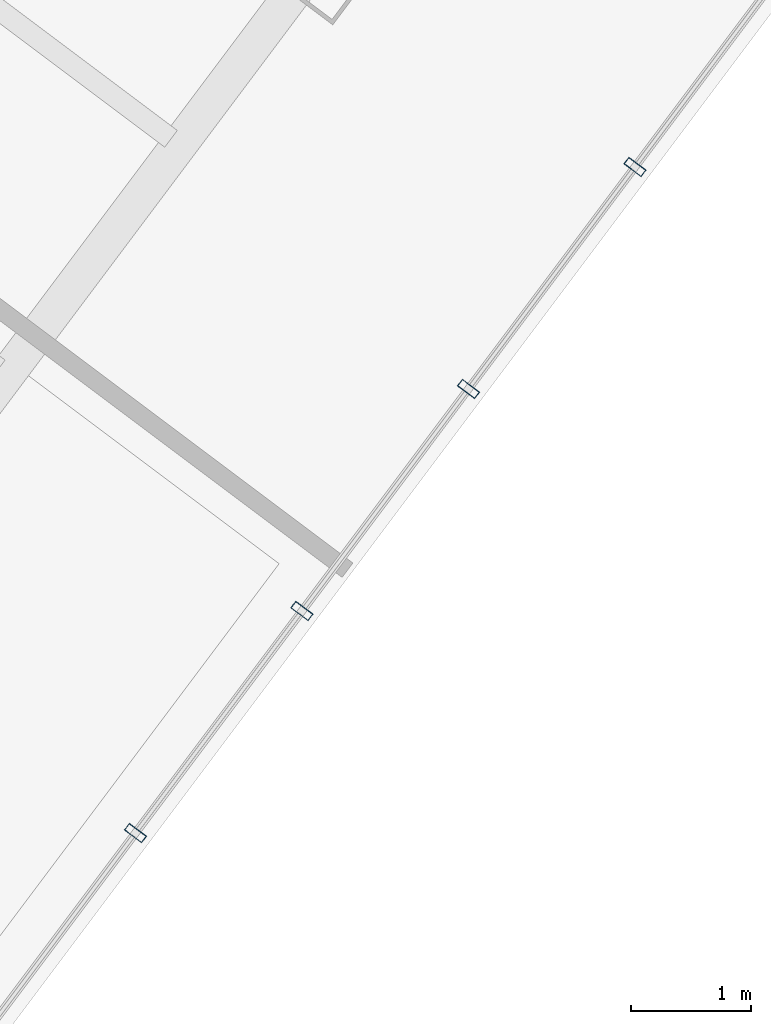
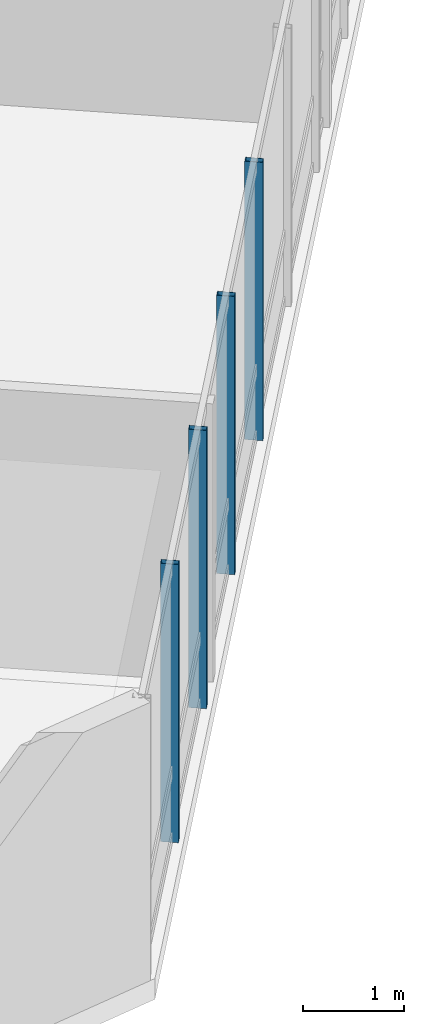
# One storey, part 8 of 29: 4 members, 1 element without a shape of its own.
"""IFC4 building model written with IfcOpenShell, lengths in metres."""

from ifc_helpers import new_model, si_unit, direction, frame, origin, origin_2d, place, context, subcontext, project, spatial, hollow_rectangle, extrude, material, layer, layer_set, material_profile, profile_set, type_object, element, aggregate, save


model = new_model("IFC4")

# Units and contexts
model_context = context("Model", 3, precision=1e-05, world=origin(), true_north=direction((0.0, 1.0)))
body_context = subcontext(model_context, "Body", "Model", "MODEL_VIEW")
ifc_project = project(units=[si_unit("LENGTHUNIT", "METRE"), si_unit("AREAUNIT", "SQUARE_METRE"), si_unit("VOLUMEUNIT", "CUBIC_METRE"), si_unit("PLANEANGLEUNIT", "RADIAN"), si_unit("MASSUNIT", "GRAM", prefix="KILO")], contexts=[model_context])

# Site, building, storey
site_placement = place(None, origin())
site = spatial("IfcSite", under=ifc_project, at=site_placement, CompositionType="ELEMENT")
building_placement = place(site_placement, origin())
building = spatial("IfcBuilding", under=site, at=building_placement, Name="Hatsunagi Terrace Concourse", CompositionType="ELEMENT")
storey_placement = place(building_placement, frame((0.0, 0.0, 108.449951171875)))
storey = spatial("IfcBuildingStorey", under=building, at=storey_placement, Name="L28", CompositionType="ELEMENT", Elevation=108.449951171875)

# Curtain wall, members
ifc_material_1 = material(Name="Anodised Aluminium Alloy 6063-T5", Category="aluminium")
ifc_layer = layer(ifc_material_1, 0.199951171875)
ifc_layer_set = layer_set([ifc_layer], Name="OfficeZone1_CW03")
curtain_wall_type = type_object("IfcCurtainWallType", Name="OfficeZone1_CW03", PredefinedType="NOTDEFINED", material=ifc_layer_set)
curtain_wall_placement = place(storey_placement, origin())
curtain_wall = element("IfcCurtainWall", 1, at=curtain_wall_placement, inside=storey, type_object=curtain_wall_type, Name="Unitised Curtain Wall CW-03 CW-L28-03", PredefinedType="NOTDEFINED")
ifc_material_2 = material(Name="Anodised Aluminium Alloy 6063-T5", Category="aluminium")
ifc_material_profile = material_profile(ifc_material_2, hollow_rectangle(XDim=0.070068359375, YDim=0.179931640625, WallThickness=0.00390625, at=origin_2d()), Name="ALU-MUL-180x70x4")
ifc_profile_set = profile_set([ifc_material_profile], Name="Anodised Aluminium Alloy 6063-T5")
member_type = type_object("IfcMemberType", Name="CurtainWallMullion_180x70", PredefinedType="MULLION", material=ifc_profile_set)
member_1_placement = place(storey_placement, frame((62.132080078125, 10.3759765625, 0.0), z_axis=(0.0, 0.0, 1.0), x_axis=(-0.599969314634, -0.800023013105, 0.0)))
member_1 = element("IfcMember", 2, at=member_1_placement, type_object=member_type, Name="Curtain Wall Mullion MUL-02", PredefinedType="MULLION", context=body_context, shape_type="SweptSolid", body=[
    extrude(hollow_rectangle(XDim=0.070068359375, YDim=0.179931640625, WallThickness=0.00390625, at=origin_2d()), origin(), (0.0, 0.0, 1.0), 3.35009765625),
])
member_2_placement = place(storey_placement, frame((60.739990234375, 8.51904296875, 0.0), z_axis=(0.0, 0.0, 1.0), x_axis=(-0.599969314634, -0.800023013105, 0.0)))
member_2 = element("IfcMember", 3, at=member_2_placement, type_object=member_type, Name="Curtain Wall Mullion MUL-02", PredefinedType="MULLION", context=body_context, shape_type="SweptSolid", body=[
    extrude(hollow_rectangle(XDim=0.070068359375, YDim=0.179931640625, WallThickness=0.00390625, at=origin_2d()), origin(), (0.0, 0.0, 1.0), 3.35009765625),
])
member_3_placement = place(storey_placement, frame((59.346923828125, 6.6630859375, 0.0), z_axis=(0.0, 0.0, 1.0), x_axis=(-0.599969314634, -0.800023013105, 0.0)))
member_3 = element("IfcMember", 4, at=member_3_placement, type_object=member_type, Name="Curtain Wall Mullion MUL-02", PredefinedType="MULLION", context=body_context, shape_type="SweptSolid", body=[
    extrude(hollow_rectangle(XDim=0.070068359375, YDim=0.179931640625, WallThickness=0.00390625, at=origin_2d()), origin(), (0.0, 0.0, 1.0), 3.35009765625),
])
member_4_placement = place(storey_placement, frame((57.955078125, 4.805908203125, 0.0), z_axis=(0.0, 0.0, 1.0), x_axis=(-0.599969314634, -0.800023013105, 0.0)))
member_4 = element("IfcMember", 5, at=member_4_placement, type_object=member_type, Name="Curtain Wall Mullion MUL-02", PredefinedType="MULLION", context=body_context, shape_type="SweptSolid", body=[
    extrude(hollow_rectangle(XDim=0.070068359375, YDim=0.179931640625, WallThickness=0.00390625, at=origin_2d()), origin(), (0.0, 0.0, 1.0), 3.35009765625),
])
aggregate(curtain_wall, [member_1, member_2, member_3, member_4])

save(model, "model.ifc")
